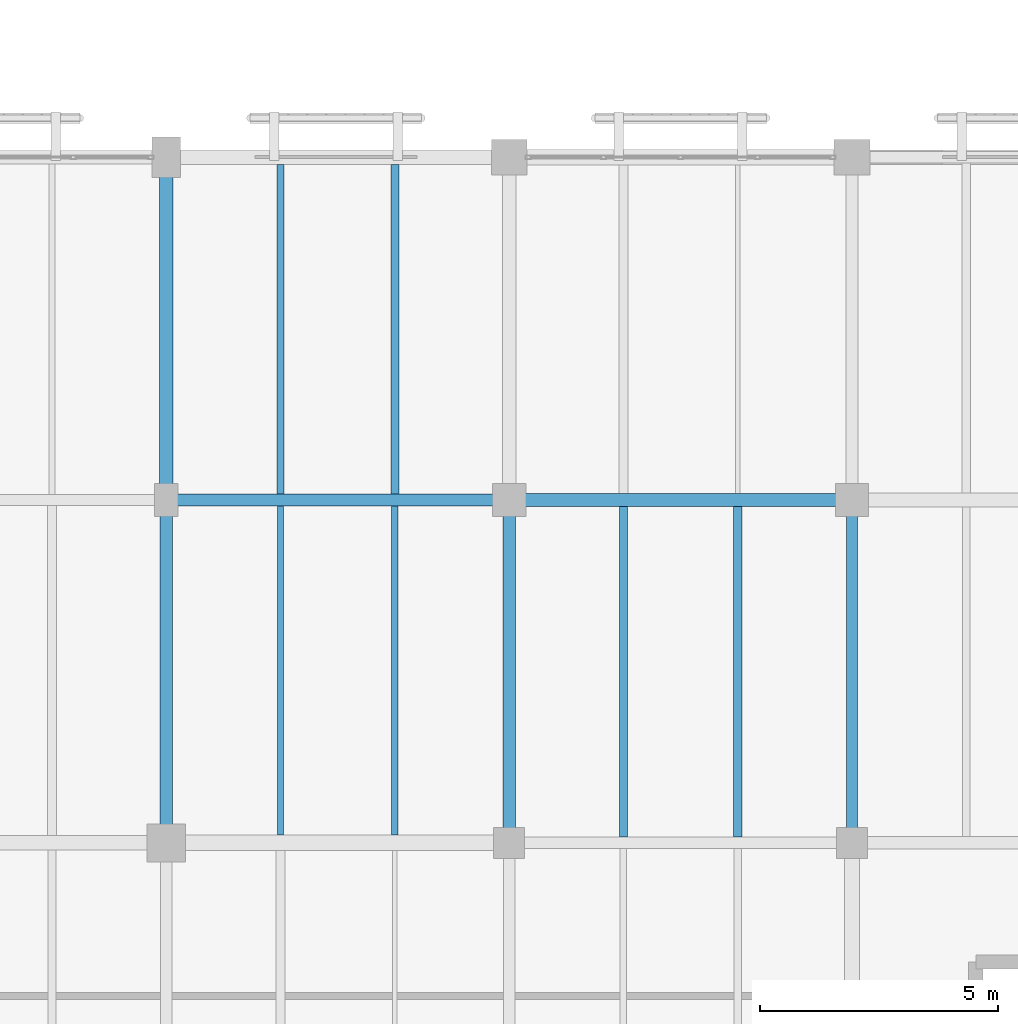
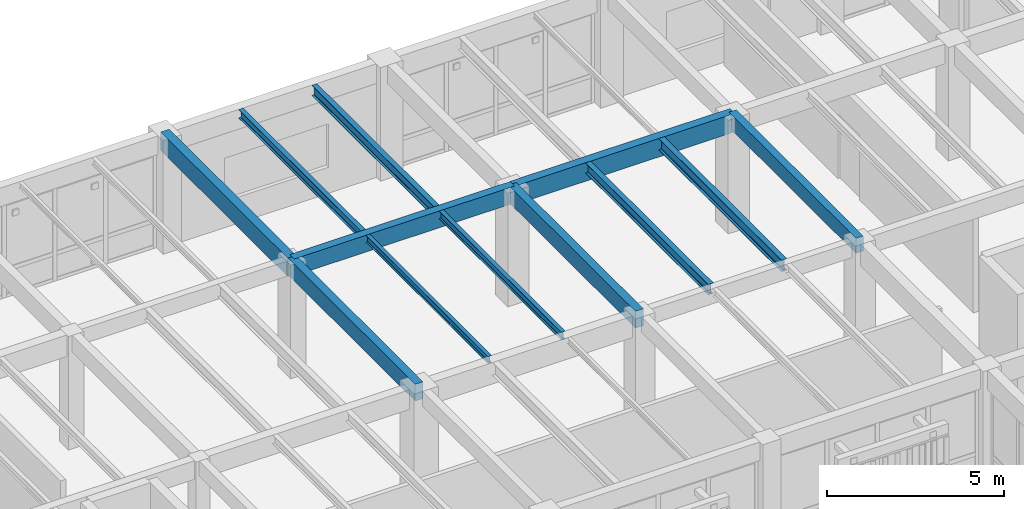
# One storey, part 112 of 170: 12 beams.
"""IFC4 building model written with IfcOpenShell, lengths in metres."""

from ifc_helpers import new_model, si_unit, direction, frame, origin, origin_2d, place, context, subcontext, project, spatial, rectangle, i_section, extrude, material, material_profile, profile_set, type_object, element, save


model = new_model("IFC4")

# Units and contexts
model_context = context("Model", 3, precision=1e-05, world=origin(), true_north=direction((0.0, 1.0)))
body_context = subcontext(model_context, "Body", "Model", "MODEL_VIEW")
ifc_project = project(units=[si_unit("LENGTHUNIT", "METRE"), si_unit("AREAUNIT", "SQUARE_METRE"), si_unit("VOLUMEUNIT", "CUBIC_METRE"), si_unit("PLANEANGLEUNIT", "RADIAN"), si_unit("MASSUNIT", "GRAM", prefix="KILO")], contexts=[model_context])

# Site, building, storey
site_placement = place(None, origin())
site = spatial("IfcSite", under=ifc_project, at=site_placement, CompositionType="ELEMENT")
building_placement = place(site_placement, origin())
building = spatial("IfcBuilding", under=site, at=building_placement, Name="Mazaris Harbour Polytechnic", CompositionType="ELEMENT")
storey_placement = place(building_placement, frame((0.0, 0.0, 5.39990234375)))
storey = spatial("IfcBuildingStorey", under=building, at=storey_placement, Name="L01", CompositionType="ELEMENT", Elevation=5.39990234375)

# Beams
ifc_material_1 = material(Name="Glulam GL32h", Category="wood")
ifc_material_profile_1 = material_profile(ifc_material_1, rectangle(XDim=0.239990234375, YDim=0.52001953125, at=origin_2d()), Name="RECT240x520")
ifc_profile_set_1 = profile_set([ifc_material_profile_1], Name="Glulam GL32h")
beam_type_1 = type_object("IfcBeamType", Name="Glulam Girder 240x520", PredefinedType="BEAM", material=ifc_profile_set_1)
beam_1_placement = place(storey_placement, frame((158.39990234375, 93.60009765625, 3.66015625), z_axis=(0.0, 1.0, 0.0), x_axis=(-1.0, 0.0, 0.0)))
element("IfcBeam", 1, at=beam_1_placement, inside=storey, type_object=beam_type_1, Name="V5 L01 Tie Girder 3010", PredefinedType="BEAM", context=body_context, shape_type="SweptSolid", body=[
    extrude(rectangle(XDim=0.239990234375, YDim=0.52001953125, at=origin_2d()), origin(), (0.0, 0.0, 1.0), 7.199951171875),
])
ifc_material_2 = material(Name="Glulam GL32h", Category="wood")
ifc_material_profile_2 = material_profile(ifc_material_2, rectangle(XDim=0.260009765625, YDim=0.580078125, at=origin_2d()), Name="RECT260x580")
ifc_profile_set_2 = profile_set([ifc_material_profile_2], Name="Glulam GL32h")
beam_type_2 = type_object("IfcBeamType", Name="Glulam Girder 260x580", PredefinedType="BEAM", material=ifc_profile_set_2)
for number, where, z_axis, x_axis, name in (
    (2, (144.0, 100.800048828125, 3.630126953125), (1.0, 0.0, 0.0), (0.0, 1.0, 0.0), "V5 L01 Girder 2956"),
    (3, (144.0, 93.60009765625, 3.630126953125), (0.0, 1.0, 0.0), (-1.0, 0.0, 0.0), "V5 L01 Tie Girder 2996"),
    (4, (151.199951171875, 93.60009765625, 3.630126953125), (0.0, 1.0, 0.0), (-1.0, 0.0, 0.0), "V5 L01 Tie Girder 3001"),
):
    element("IfcBeam", number, at=place(storey_placement, frame(where, z_axis=z_axis, x_axis=x_axis)), inside=storey, type_object=beam_type_2, Name=name, PredefinedType="BEAM", context=body_context, shape_type="SweptSolid", body=[
        extrude(rectangle(XDim=0.260009765625, YDim=0.580078125, at=origin_2d()), origin(), (0.0, 0.0, 1.0), 7.199951171875),
    ])
ifc_material_3 = material(Name="Glulam GL32h", Category="wood")
ifc_material_profile_3 = material_profile(ifc_material_3, rectangle(XDim=0.280029296875, YDim=0.639892578125, at=origin_2d()), Name="RECT280x640")
ifc_profile_set_3 = profile_set([ifc_material_profile_3], Name="Glulam GL32h")
beam_type_3 = type_object("IfcBeamType", Name="Glulam Girder 280x640", PredefinedType="BEAM", material=ifc_profile_set_3)
for number, where, z_axis, x_axis, name in (
    (5, (151.199951171875, 100.800048828125, 3.60009765625), (1.0, 0.0, 0.0), (0.0, 1.0, 0.0), "V5 L01 Girder 2957"),
    (6, (144.0, 100.800048828125, 3.60009765625), (0.0, 1.0, 0.0), (-1.0, 0.0, 0.0), "V5 L01 Tie Girder 2997"),
):
    element("IfcBeam", number, at=place(storey_placement, frame(where, z_axis=z_axis, x_axis=x_axis)), inside=storey, type_object=beam_type_3, Name=name, PredefinedType="BEAM", context=body_context, shape_type="SweptSolid", body=[
        extrude(rectangle(XDim=0.280029296875, YDim=0.639892578125, at=origin_2d()), origin(), (0.0, 0.0, 1.0), 7.199951171875),
    ])
ifc_material_4 = material(Name="Steel S355", Category="steel")
ifc_material_profile_4 = material_profile(ifc_material_4, i_section(OverallWidth=0.1201171875, OverallDepth=0.239990234375, WebThickness=0.006103515625, FlangeThickness=0.009765625, FilletRadius=0.014892578125, at=origin_2d()), Name="IPE 240")
ifc_profile_set_4 = profile_set([ifc_material_profile_4], Name="Steel S355")
beam_type_4 = type_object("IfcBeamType", Name="Steel Joist IPE240", PredefinedType="JOIST", material=ifc_profile_set_4)
beam_2_placement = place(storey_placement, frame((146.39990234375, 93.760009765625, 3.800048828125), z_axis=(0.0, 1.0, 0.0), x_axis=(-1.0, 0.0, 0.0)))
element("IfcBeam", 7, at=beam_2_placement, inside=storey, type_object=beam_type_4, Name="V5 L01 Floor Joist 3074", PredefinedType="JOIST", context=body_context, shape_type="SweptSolid", body=[
    extrude(i_section(OverallWidth=0.1201171875, OverallDepth=0.239990234375, WebThickness=0.006103515625, FlangeThickness=0.009765625, FilletRadius=0.014892578125, at=origin_2d()), origin(), (0.0, 0.0, 1.0), 6.909912109375),
])
ifc_material_5 = material(Name="Steel S355", Category="steel")
ifc_material_profile_5 = material_profile(ifc_material_5, i_section(OverallWidth=0.135009765625, OverallDepth=0.27001953125, WebThickness=0.006591796875, FlangeThickness=0.01025390625, FilletRadius=0.014892578125, at=origin_2d()), Name="IPE 270")
ifc_profile_set_5 = profile_set([ifc_material_profile_5], Name="Steel S355")
beam_type_5 = type_object("IfcBeamType", Name="Steel Joist IPE270", PredefinedType="JOIST", material=ifc_profile_set_5)
beam_3_placement = place(storey_placement, frame((148.800048828125, 93.760009765625, 3.78515625), z_axis=(0.0, 1.0, 0.0), x_axis=(-1.0, 0.0, 0.0)))
element("IfcBeam", 8, at=beam_3_placement, inside=storey, type_object=beam_type_5, Name="V5 L01 Floor Joist 3075", PredefinedType="JOIST", context=body_context, shape_type="SweptSolid", body=[
    extrude(i_section(OverallWidth=0.135009765625, OverallDepth=0.27001953125, WebThickness=0.006591796875, FlangeThickness=0.01025390625, FilletRadius=0.014892578125, at=origin_2d()), origin(), (0.0, 0.0, 1.0), 6.909912109375),
])
ifc_material_6 = material(Name="Steel S355", Category="steel")
ifc_material_profile_6 = material_profile(ifc_material_6, i_section(OverallWidth=0.14990234375, OverallDepth=0.300048828125, WebThickness=0.007080078125, FlangeThickness=0.0107421875, FilletRadius=0.014892578125, at=origin_2d()), Name="IPE 300")
ifc_profile_set_6 = profile_set([ifc_material_profile_6], Name="Steel S355")
beam_type_6 = type_object("IfcBeamType", Name="Steel Joist IPE300", PredefinedType="JOIST", material=ifc_profile_set_6)
beam_4_placement = place(storey_placement, frame((146.39990234375, 100.929931640625, 3.77001953125), z_axis=(0.0, 1.0, 0.0), x_axis=(-1.0, 0.0, 0.0)))
element("IfcBeam", 9, at=beam_4_placement, inside=storey, type_object=beam_type_6, Name="V5 L01 Floor Joist 3076", PredefinedType="JOIST", context=body_context, shape_type="SweptSolid", body=[
    extrude(i_section(OverallWidth=0.14990234375, OverallDepth=0.300048828125, WebThickness=0.007080078125, FlangeThickness=0.0107421875, FilletRadius=0.014892578125, at=origin_2d()), origin(), (0.0, 0.0, 1.0), 6.920166015625),
])
ifc_material_7 = material(Name="Steel S355", Category="steel")
ifc_material_profile_7 = material_profile(ifc_material_7, i_section(OverallWidth=0.169921875, OverallDepth=0.360107421875, WebThickness=0.008056640625, FlangeThickness=0.0126953125, FilletRadius=0.01806640625, at=origin_2d()), Name="IPE 360")
ifc_profile_set_7 = profile_set([ifc_material_profile_7], Name="Steel S355")
beam_type_7 = type_object("IfcBeamType", Name="Steel Joist IPE360", PredefinedType="JOIST", material=ifc_profile_set_7)
beam_5_placement = place(storey_placement, frame((148.800048828125, 100.929931640625, 3.739990234375), z_axis=(0.0, 1.0, 0.0), x_axis=(-1.0, 0.0, 0.0)))
element("IfcBeam", 10, at=beam_5_placement, inside=storey, type_object=beam_type_7, Name="V5 L01 Floor Joist 3077", PredefinedType="JOIST", context=body_context, shape_type="SweptSolid", body=[
    extrude(i_section(OverallWidth=0.169921875, OverallDepth=0.360107421875, WebThickness=0.008056640625, FlangeThickness=0.0126953125, FilletRadius=0.01806640625, at=origin_2d()), origin(), (0.0, 0.0, 1.0), 6.920166015625),
])
beam_6_placement = place(storey_placement, frame((153.60009765625, 93.719970703125, 3.739990234375), z_axis=(0.0, 1.0, 0.0), x_axis=(-1.0, 0.0, 0.0)))
element("IfcBeam", 11, at=beam_6_placement, inside=storey, type_object=beam_type_7, Name="V5 L01 Floor Joist 3084", PredefinedType="JOIST", context=body_context, shape_type="SweptSolid", body=[
    extrude(i_section(OverallWidth=0.169921875, OverallDepth=0.360107421875, WebThickness=0.008056640625, FlangeThickness=0.0126953125, FilletRadius=0.01806640625, at=origin_2d()), origin(), (0.0, 0.0, 1.0), 6.93994140625),
])
ifc_material_8 = material(Name="Steel S355", Category="steel")
ifc_material_profile_8 = material_profile(ifc_material_8, i_section(OverallWidth=0.179931640625, OverallDepth=0.39990234375, WebThickness=0.008544921875, FlangeThickness=0.013427734375, FilletRadius=0.02099609375, at=origin_2d()), Name="IPE 400")
ifc_profile_set_8 = profile_set([ifc_material_profile_8], Name="Steel S355")
beam_type_8 = type_object("IfcBeamType", Name="Steel Joist IPE400", PredefinedType="JOIST", material=ifc_profile_set_8)
beam_7_placement = place(storey_placement, frame((156.0, 93.719970703125, 3.72021484375), z_axis=(0.0, 1.0, 0.0), x_axis=(-1.0, 0.0, 0.0)))
element("IfcBeam", 12, at=beam_7_placement, inside=storey, type_object=beam_type_8, Name="V5 L01 Floor Joist 3085", PredefinedType="JOIST", context=body_context, shape_type="SweptSolid", body=[
    extrude(i_section(OverallWidth=0.179931640625, OverallDepth=0.39990234375, WebThickness=0.008544921875, FlangeThickness=0.013427734375, FilletRadius=0.02099609375, at=origin_2d()), origin(), (0.0, 0.0, 1.0), 6.93994140625),
])

save(model, "model.ifc")
